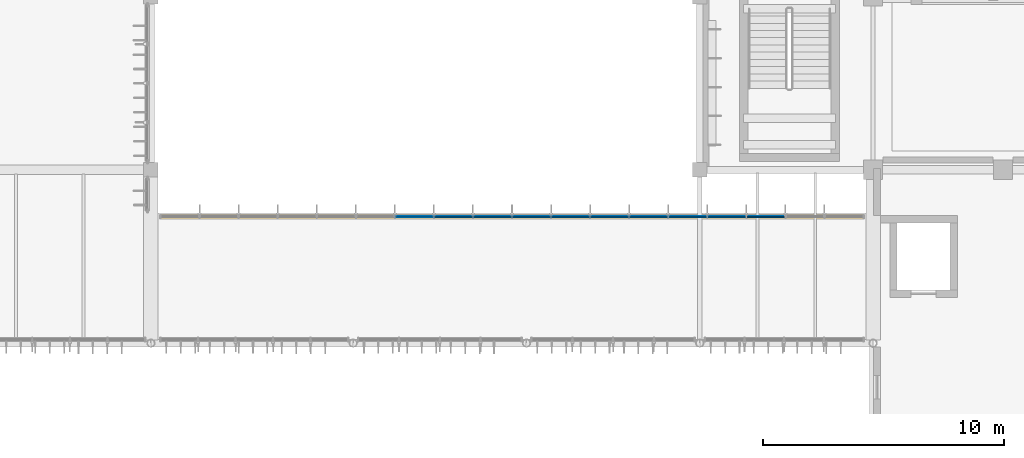
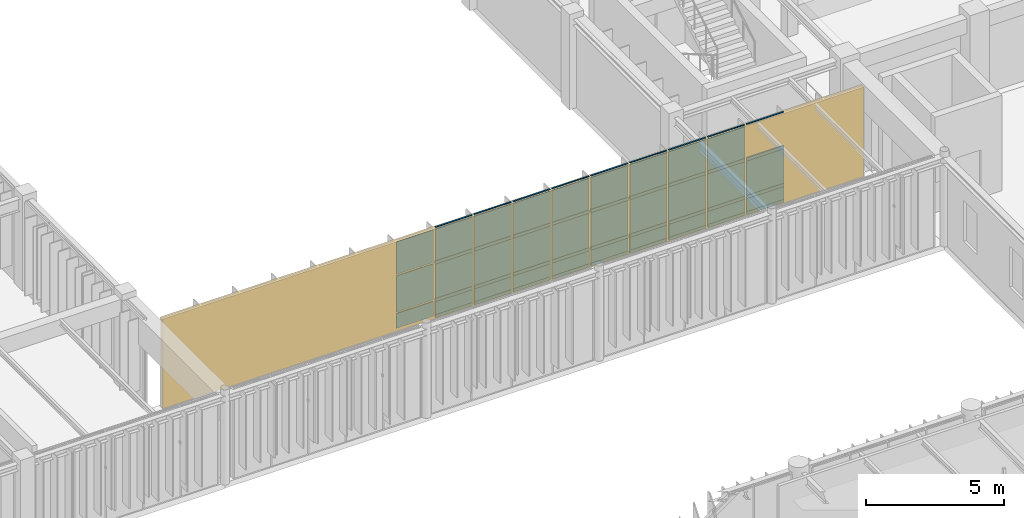
# One storey, part 78 of 122: 36 members, 29 plates, plus 1 element that does not belong to this part.
"""IFC4 building model written with IfcOpenShell, lengths in metres."""

from ifc_helpers import new_model, si_unit, direction, frame, frame_2d, origin, origin_2d, place, context, subcontext, project, spatial, rectangle, extrude, material, layer, layer_set, material_profile, profile_set, type_object, element, aggregate, save


model = new_model("IFC4")

# Units and contexts
model_context = context("Model", 3, precision=1e-05, world=origin(), true_north=direction((0.0, 1.0)))
body_context = subcontext(model_context, "Body", "Model", "MODEL_VIEW")
ifc_project = project(units=[si_unit("LENGTHUNIT", "METRE"), si_unit("AREAUNIT", "SQUARE_METRE"), si_unit("VOLUMEUNIT", "CUBIC_METRE"), si_unit("PLANEANGLEUNIT", "RADIAN"), si_unit("MASSUNIT", "GRAM", prefix="KILO")], contexts=[model_context])

# Member
ifc_material_1 = material(Name="Anodised Bronze Aluminium 6063-T6", Category="aluminium")
ifc_material_profile = material_profile(ifc_material_1, rectangle(XDim=0.06005859375, YDim=0.139892578125, at=origin_2d()), Name="ALU TRANSOM 60x140")
ifc_profile_set = profile_set([ifc_material_profile], Name="Anodised Bronze Aluminium 6063-T6")
member_type = type_object("IfcMemberType", Name="Curtain-Wall Transom 60x140", PredefinedType="USERDEFINED", material=ifc_profile_set)
site_placement = place(None, origin())
building_placement = place(site_placement, origin())
storey_placement = place(building_placement, frame((0.0, 0.0, 4.800048828125)))
member_1_placement = place(storey_placement, frame((39.390625, 49.85009765625, 0.0400390625), z_axis=(1.0, 0.0, 0.0), x_axis=(0.0, 1.0, 0.0)))
member_1 = element("IfcMember", 1, at=member_1_placement, type_object=member_type, Name="Transom CWT-01 CW-WLNK-N-L01-T08.1", ObjectType="TRANSOM", PredefinedType="USERDEFINED", context=body_context, shape_type="SweptSolid", body=[
    extrude(rectangle(XDim=0.06005859375, YDim=0.139892578125, at=origin_2d()), origin(), (0.0, 0.0, 1.0), 1.55224609375),
])

member_2_placement = place(storey_placement, frame((39.390625, 49.85009765625, 0.75), z_axis=(1.0, 0.0, 0.0), x_axis=(0.0, 1.0, 0.0)))
member_2 = element("IfcMember", 2, at=member_2_placement, type_object=member_type, Name="Transom CWT-01 CW-WLNK-N-L01-T08.2", ObjectType="TRANSOM", PredefinedType="USERDEFINED", context=body_context, shape_type="SweptSolid", body=[
    extrude(rectangle(XDim=0.06005859375, YDim=0.139892578125, at=origin_2d()), origin(), (0.0, 0.0, 1.0), 1.55224609375),
])

member_3_placement = place(storey_placement, frame((39.390625, 49.85009765625, 2.40869140625), z_axis=(1.0, 0.0, 0.0), x_axis=(0.0, 1.0, 0.0)))
member_3 = element("IfcMember", 3, at=member_3_placement, type_object=member_type, Name="Transom CWT-01 CW-WLNK-N-L01-T08.3", ObjectType="TRANSOM", PredefinedType="USERDEFINED", context=body_context, shape_type="SweptSolid", body=[
    extrude(rectangle(XDim=0.06005859375, YDim=0.139892578125, at=origin_2d()), origin(), (0.0, 0.0, 1.0), 1.55224609375),
])

member_4_placement = place(storey_placement, frame((39.390625, 49.85009765625, 3.89990234375), z_axis=(1.0, 0.0, 0.0), x_axis=(0.0, 1.0, 0.0)))
member_4 = element("IfcMember", 4, at=member_4_placement, type_object=member_type, Name="Transom CWT-01 CW-WLNK-N-L01-T08.4", ObjectType="TRANSOM", PredefinedType="USERDEFINED", context=body_context, shape_type="SweptSolid", body=[
    extrude(rectangle(XDim=0.06005859375, YDim=0.139892578125, at=origin_2d()), origin(), (0.0, 0.0, 1.0), 1.55224609375),
])

member_5_placement = place(storey_placement, frame((41.0126953125, 49.85009765625, 0.0400390625), z_axis=(1.0, 0.0, 0.0), x_axis=(0.0, 1.0, 0.0)))
member_5 = element("IfcMember", 5, at=member_5_placement, type_object=member_type, Name="Transom CWT-01 CW-WLNK-N-L01-T09.1", ObjectType="TRANSOM", PredefinedType="USERDEFINED", context=body_context, shape_type="SweptSolid", body=[
    extrude(rectangle(XDim=0.06005859375, YDim=0.139892578125, at=origin_2d()), origin(), (0.0, 0.0, 1.0), 1.55224609375),
])

member_6_placement = place(storey_placement, frame((41.0126953125, 49.85009765625, 0.75), z_axis=(1.0, 0.0, 0.0), x_axis=(0.0, 1.0, 0.0)))
member_6 = element("IfcMember", 6, at=member_6_placement, type_object=member_type, Name="Transom CWT-01 CW-WLNK-N-L01-T09.2", ObjectType="TRANSOM", PredefinedType="USERDEFINED", context=body_context, shape_type="SweptSolid", body=[
    extrude(rectangle(XDim=0.06005859375, YDim=0.139892578125, at=origin_2d()), origin(), (0.0, 0.0, 1.0), 1.55224609375),
])

member_7_placement = place(storey_placement, frame((41.0126953125, 49.85009765625, 2.40869140625), z_axis=(1.0, 0.0, 0.0), x_axis=(0.0, 1.0, 0.0)))
member_7 = element("IfcMember", 7, at=member_7_placement, type_object=member_type, Name="Transom CWT-01 CW-WLNK-N-L01-T09.3", ObjectType="TRANSOM", PredefinedType="USERDEFINED", context=body_context, shape_type="SweptSolid", body=[
    extrude(rectangle(XDim=0.06005859375, YDim=0.139892578125, at=origin_2d()), origin(), (0.0, 0.0, 1.0), 1.55224609375),
])

member_8_placement = place(storey_placement, frame((41.0126953125, 49.85009765625, 3.89990234375), z_axis=(1.0, 0.0, 0.0), x_axis=(0.0, 1.0, 0.0)))
member_8 = element("IfcMember", 8, at=member_8_placement, type_object=member_type, Name="Transom CWT-01 CW-WLNK-N-L01-T09.4", ObjectType="TRANSOM", PredefinedType="USERDEFINED", context=body_context, shape_type="SweptSolid", body=[
    extrude(rectangle(XDim=0.06005859375, YDim=0.139892578125, at=origin_2d()), origin(), (0.0, 0.0, 1.0), 1.55224609375),
])

member_9_placement = place(storey_placement, frame((42.635009765625, 49.85009765625, 0.0400390625), z_axis=(1.0, 0.0, 0.0), x_axis=(0.0, 1.0, 0.0)))
member_9 = element("IfcMember", 9, at=member_9_placement, type_object=member_type, Name="Transom CWT-01 CW-WLNK-N-L01-T10.1", ObjectType="TRANSOM", PredefinedType="USERDEFINED", context=body_context, shape_type="SweptSolid", body=[
    extrude(rectangle(XDim=0.06005859375, YDim=0.139892578125, at=origin_2d()), origin(), (0.0, 0.0, 1.0), 1.55224609375),
])

member_10_placement = place(storey_placement, frame((42.635009765625, 49.85009765625, 0.75), z_axis=(1.0, 0.0, 0.0), x_axis=(0.0, 1.0, 0.0)))
member_10 = element("IfcMember", 10, at=member_10_placement, type_object=member_type, Name="Transom CWT-01 CW-WLNK-N-L01-T10.2", ObjectType="TRANSOM", PredefinedType="USERDEFINED", context=body_context, shape_type="SweptSolid", body=[
    extrude(rectangle(XDim=0.06005859375, YDim=0.139892578125, at=origin_2d()), origin(), (0.0, 0.0, 1.0), 1.55224609375),
])

member_11_placement = place(storey_placement, frame((42.635009765625, 49.85009765625, 2.40869140625), z_axis=(1.0, 0.0, 0.0), x_axis=(0.0, 1.0, 0.0)))
member_11 = element("IfcMember", 11, at=member_11_placement, type_object=member_type, Name="Transom CWT-01 CW-WLNK-N-L01-T10.3", ObjectType="TRANSOM", PredefinedType="USERDEFINED", context=body_context, shape_type="SweptSolid", body=[
    extrude(rectangle(XDim=0.06005859375, YDim=0.139892578125, at=origin_2d()), origin(), (0.0, 0.0, 1.0), 1.55224609375),
])

member_12_placement = place(storey_placement, frame((42.635009765625, 49.85009765625, 3.89990234375), z_axis=(1.0, 0.0, 0.0), x_axis=(0.0, 1.0, 0.0)))
member_12 = element("IfcMember", 12, at=member_12_placement, type_object=member_type, Name="Transom CWT-01 CW-WLNK-N-L01-T10.4", ObjectType="TRANSOM", PredefinedType="USERDEFINED", context=body_context, shape_type="SweptSolid", body=[
    extrude(rectangle(XDim=0.06005859375, YDim=0.139892578125, at=origin_2d()), origin(), (0.0, 0.0, 1.0), 1.55224609375),
])

member_13_placement = place(storey_placement, frame((44.257080078125, 49.85009765625, 0.0400390625), z_axis=(1.0, 0.0, 0.0), x_axis=(0.0, 1.0, 0.0)))
member_13 = element("IfcMember", 13, at=member_13_placement, type_object=member_type, Name="Transom CWT-01 CW-WLNK-N-L01-T11.1", ObjectType="TRANSOM", PredefinedType="USERDEFINED", context=body_context, shape_type="SweptSolid", body=[
    extrude(rectangle(XDim=0.06005859375, YDim=0.139892578125, at=origin_2d()), origin(), (0.0, 0.0, 1.0), 1.55224609375),
])

member_14_placement = place(storey_placement, frame((44.257080078125, 49.85009765625, 0.75), z_axis=(1.0, 0.0, 0.0), x_axis=(0.0, 1.0, 0.0)))
member_14 = element("IfcMember", 14, at=member_14_placement, type_object=member_type, Name="Transom CWT-01 CW-WLNK-N-L01-T11.2", ObjectType="TRANSOM", PredefinedType="USERDEFINED", context=body_context, shape_type="SweptSolid", body=[
    extrude(rectangle(XDim=0.06005859375, YDim=0.139892578125, at=origin_2d()), origin(), (0.0, 0.0, 1.0), 1.55224609375),
])

member_15_placement = place(storey_placement, frame((44.257080078125, 49.85009765625, 2.40869140625), z_axis=(1.0, 0.0, 0.0), x_axis=(0.0, 1.0, 0.0)))
member_15 = element("IfcMember", 15, at=member_15_placement, type_object=member_type, Name="Transom CWT-01 CW-WLNK-N-L01-T11.3", ObjectType="TRANSOM", PredefinedType="USERDEFINED", context=body_context, shape_type="SweptSolid", body=[
    extrude(rectangle(XDim=0.06005859375, YDim=0.139892578125, at=origin_2d()), origin(), (0.0, 0.0, 1.0), 1.55224609375),
])

member_16_placement = place(storey_placement, frame((44.257080078125, 49.85009765625, 3.89990234375), z_axis=(1.0, 0.0, 0.0), x_axis=(0.0, 1.0, 0.0)))
member_16 = element("IfcMember", 16, at=member_16_placement, type_object=member_type, Name="Transom CWT-01 CW-WLNK-N-L01-T11.4", ObjectType="TRANSOM", PredefinedType="USERDEFINED", context=body_context, shape_type="SweptSolid", body=[
    extrude(rectangle(XDim=0.06005859375, YDim=0.139892578125, at=origin_2d()), origin(), (0.0, 0.0, 1.0), 1.55224609375),
])

member_17_placement = place(storey_placement, frame((45.87939453125, 49.85009765625, 0.0400390625), z_axis=(1.0, 0.0, 0.0), x_axis=(0.0, 1.0, 0.0)))
member_17 = element("IfcMember", 17, at=member_17_placement, type_object=member_type, Name="Transom CWT-01 CW-WLNK-N-L01-T12.1", ObjectType="TRANSOM", PredefinedType="USERDEFINED", context=body_context, shape_type="SweptSolid", body=[
    extrude(rectangle(XDim=0.06005859375, YDim=0.139892578125, at=origin_2d()), origin(), (0.0, 0.0, 1.0), 1.55224609375),
])

member_18_placement = place(storey_placement, frame((45.87939453125, 49.85009765625, 0.75), z_axis=(1.0, 0.0, 0.0), x_axis=(0.0, 1.0, 0.0)))
member_18 = element("IfcMember", 18, at=member_18_placement, type_object=member_type, Name="Transom CWT-01 CW-WLNK-N-L01-T12.2", ObjectType="TRANSOM", PredefinedType="USERDEFINED", context=body_context, shape_type="SweptSolid", body=[
    extrude(rectangle(XDim=0.06005859375, YDim=0.139892578125, at=origin_2d()), origin(), (0.0, 0.0, 1.0), 1.55224609375),
])

member_19_placement = place(storey_placement, frame((45.87939453125, 49.85009765625, 2.40869140625), z_axis=(1.0, 0.0, 0.0), x_axis=(0.0, 1.0, 0.0)))
member_19 = element("IfcMember", 19, at=member_19_placement, type_object=member_type, Name="Transom CWT-01 CW-WLNK-N-L01-T12.3", ObjectType="TRANSOM", PredefinedType="USERDEFINED", context=body_context, shape_type="SweptSolid", body=[
    extrude(rectangle(XDim=0.06005859375, YDim=0.139892578125, at=origin_2d()), origin(), (0.0, 0.0, 1.0), 1.55224609375),
])

member_20_placement = place(storey_placement, frame((45.87939453125, 49.85009765625, 3.89990234375), z_axis=(1.0, 0.0, 0.0), x_axis=(0.0, 1.0, 0.0)))
member_20 = element("IfcMember", 20, at=member_20_placement, type_object=member_type, Name="Transom CWT-01 CW-WLNK-N-L01-T12.4", ObjectType="TRANSOM", PredefinedType="USERDEFINED", context=body_context, shape_type="SweptSolid", body=[
    extrude(rectangle(XDim=0.06005859375, YDim=0.139892578125, at=origin_2d()), origin(), (0.0, 0.0, 1.0), 1.55224609375),
])

member_21_placement = place(storey_placement, frame((47.501708984375, 49.85009765625, 0.0400390625), z_axis=(1.0, 0.0, 0.0), x_axis=(0.0, 1.0, 0.0)))
member_21 = element("IfcMember", 21, at=member_21_placement, type_object=member_type, Name="Transom CWT-01 CW-WLNK-N-L01-T13.1", ObjectType="TRANSOM", PredefinedType="USERDEFINED", context=body_context, shape_type="SweptSolid", body=[
    extrude(rectangle(XDim=0.06005859375, YDim=0.139892578125, at=origin_2d()), origin(), (0.0, 0.0, 1.0), 1.55224609375),
])

member_22_placement = place(storey_placement, frame((47.501708984375, 49.85009765625, 0.75), z_axis=(1.0, 0.0, 0.0), x_axis=(0.0, 1.0, 0.0)))
member_22 = element("IfcMember", 22, at=member_22_placement, type_object=member_type, Name="Transom CWT-01 CW-WLNK-N-L01-T13.2", ObjectType="TRANSOM", PredefinedType="USERDEFINED", context=body_context, shape_type="SweptSolid", body=[
    extrude(rectangle(XDim=0.06005859375, YDim=0.139892578125, at=origin_2d()), origin(), (0.0, 0.0, 1.0), 1.55224609375),
])

member_23_placement = place(storey_placement, frame((47.501708984375, 49.85009765625, 2.40869140625), z_axis=(1.0, 0.0, 0.0), x_axis=(0.0, 1.0, 0.0)))
member_23 = element("IfcMember", 23, at=member_23_placement, type_object=member_type, Name="Transom CWT-01 CW-WLNK-N-L01-T13.3", ObjectType="TRANSOM", PredefinedType="USERDEFINED", context=body_context, shape_type="SweptSolid", body=[
    extrude(rectangle(XDim=0.06005859375, YDim=0.139892578125, at=origin_2d()), origin(), (0.0, 0.0, 1.0), 1.55224609375),
])

member_24_placement = place(storey_placement, frame((47.501708984375, 49.85009765625, 3.89990234375), z_axis=(1.0, 0.0, 0.0), x_axis=(0.0, 1.0, 0.0)))
member_24 = element("IfcMember", 24, at=member_24_placement, type_object=member_type, Name="Transom CWT-01 CW-WLNK-N-L01-T13.4", ObjectType="TRANSOM", PredefinedType="USERDEFINED", context=body_context, shape_type="SweptSolid", body=[
    extrude(rectangle(XDim=0.06005859375, YDim=0.139892578125, at=origin_2d()), origin(), (0.0, 0.0, 1.0), 1.55224609375),
])

member_25_placement = place(storey_placement, frame((49.123779296875, 49.85009765625, 0.0400390625), z_axis=(1.0, 0.0, 0.0), x_axis=(0.0, 1.0, 0.0)))
member_25 = element("IfcMember", 25, at=member_25_placement, type_object=member_type, Name="Transom CWT-01 CW-WLNK-N-L01-T14.1", ObjectType="TRANSOM", PredefinedType="USERDEFINED", context=body_context, shape_type="SweptSolid", body=[
    extrude(rectangle(XDim=0.06005859375, YDim=0.139892578125, at=origin_2d()), origin(), (0.0, 0.0, 1.0), 1.55224609375),
])

member_26_placement = place(storey_placement, frame((49.123779296875, 49.85009765625, 0.75), z_axis=(1.0, 0.0, 0.0), x_axis=(0.0, 1.0, 0.0)))
member_26 = element("IfcMember", 26, at=member_26_placement, type_object=member_type, Name="Transom CWT-01 CW-WLNK-N-L01-T14.2", ObjectType="TRANSOM", PredefinedType="USERDEFINED", context=body_context, shape_type="SweptSolid", body=[
    extrude(rectangle(XDim=0.06005859375, YDim=0.139892578125, at=origin_2d()), origin(), (0.0, 0.0, 1.0), 1.55224609375),
])

member_27_placement = place(storey_placement, frame((49.123779296875, 49.85009765625, 2.40869140625), z_axis=(1.0, 0.0, 0.0), x_axis=(0.0, 1.0, 0.0)))
member_27 = element("IfcMember", 27, at=member_27_placement, type_object=member_type, Name="Transom CWT-01 CW-WLNK-N-L01-T14.3", ObjectType="TRANSOM", PredefinedType="USERDEFINED", context=body_context, shape_type="SweptSolid", body=[
    extrude(rectangle(XDim=0.06005859375, YDim=0.139892578125, at=origin_2d()), origin(), (0.0, 0.0, 1.0), 1.55224609375),
])

member_28_placement = place(storey_placement, frame((49.123779296875, 49.85009765625, 3.89990234375), z_axis=(1.0, 0.0, 0.0), x_axis=(0.0, 1.0, 0.0)))
member_28 = element("IfcMember", 28, at=member_28_placement, type_object=member_type, Name="Transom CWT-01 CW-WLNK-N-L01-T14.4", ObjectType="TRANSOM", PredefinedType="USERDEFINED", context=body_context, shape_type="SweptSolid", body=[
    extrude(rectangle(XDim=0.06005859375, YDim=0.139892578125, at=origin_2d()), origin(), (0.0, 0.0, 1.0), 1.55224609375),
])

member_29_placement = place(storey_placement, frame((50.74609375, 49.85009765625, 0.0400390625), z_axis=(1.0, 0.0, 0.0), x_axis=(0.0, 1.0, 0.0)))
member_29 = element("IfcMember", 29, at=member_29_placement, type_object=member_type, Name="Transom CWT-01 CW-WLNK-N-L01-T15.1", ObjectType="TRANSOM", PredefinedType="USERDEFINED", context=body_context, shape_type="SweptSolid", body=[
    extrude(rectangle(XDim=0.06005859375, YDim=0.139892578125, at=origin_2d()), origin(), (0.0, 0.0, 1.0), 1.55224609375),
])

member_30_placement = place(storey_placement, frame((50.74609375, 49.85009765625, 0.75), z_axis=(1.0, 0.0, 0.0), x_axis=(0.0, 1.0, 0.0)))
member_30 = element("IfcMember", 30, at=member_30_placement, type_object=member_type, Name="Transom CWT-01 CW-WLNK-N-L01-T15.2", ObjectType="TRANSOM", PredefinedType="USERDEFINED", context=body_context, shape_type="SweptSolid", body=[
    extrude(rectangle(XDim=0.06005859375, YDim=0.139892578125, at=origin_2d()), origin(), (0.0, 0.0, 1.0), 1.55224609375),
])

member_31_placement = place(storey_placement, frame((50.74609375, 49.85009765625, 2.40869140625), z_axis=(1.0, 0.0, 0.0), x_axis=(0.0, 1.0, 0.0)))
member_31 = element("IfcMember", 31, at=member_31_placement, type_object=member_type, Name="Transom CWT-01 CW-WLNK-N-L01-T15.3", ObjectType="TRANSOM", PredefinedType="USERDEFINED", context=body_context, shape_type="SweptSolid", body=[
    extrude(rectangle(XDim=0.06005859375, YDim=0.139892578125, at=origin_2d()), origin(), (0.0, 0.0, 1.0), 1.55224609375),
])

member_32_placement = place(storey_placement, frame((50.74609375, 49.85009765625, 3.89990234375), z_axis=(1.0, 0.0, 0.0), x_axis=(0.0, 1.0, 0.0)))
member_32 = element("IfcMember", 32, at=member_32_placement, type_object=member_type, Name="Transom CWT-01 CW-WLNK-N-L01-T15.4", ObjectType="TRANSOM", PredefinedType="USERDEFINED", context=body_context, shape_type="SweptSolid", body=[
    extrude(rectangle(XDim=0.06005859375, YDim=0.139892578125, at=origin_2d()), origin(), (0.0, 0.0, 1.0), 1.55224609375),
])

member_33_placement = place(storey_placement, frame((52.368408203125, 49.85009765625, 0.0400390625), z_axis=(1.0, 0.0, 0.0), x_axis=(0.0, 1.0, 0.0)))
member_33 = element("IfcMember", 33, at=member_33_placement, type_object=member_type, Name="Transom CWT-01 CW-WLNK-N-L01-T16.1", ObjectType="TRANSOM", PredefinedType="USERDEFINED", context=body_context, shape_type="SweptSolid", body=[
    extrude(rectangle(XDim=0.06005859375, YDim=0.139892578125, at=origin_2d()), origin(), (0.0, 0.0, 1.0), 1.55224609375),
])

member_34_placement = place(storey_placement, frame((52.368408203125, 49.85009765625, 0.75), z_axis=(1.0, 0.0, 0.0), x_axis=(0.0, 1.0, 0.0)))
member_34 = element("IfcMember", 34, at=member_34_placement, type_object=member_type, Name="Transom CWT-01 CW-WLNK-N-L01-T16.2", ObjectType="TRANSOM", PredefinedType="USERDEFINED", context=body_context, shape_type="SweptSolid", body=[
    extrude(rectangle(XDim=0.06005859375, YDim=0.139892578125, at=origin_2d()), origin(), (0.0, 0.0, 1.0), 1.55224609375),
])

member_35_placement = place(storey_placement, frame((52.368408203125, 49.85009765625, 2.40869140625), z_axis=(1.0, 0.0, 0.0), x_axis=(0.0, 1.0, 0.0)))
member_35 = element("IfcMember", 35, at=member_35_placement, type_object=member_type, Name="Transom CWT-01 CW-WLNK-N-L01-T16.3", ObjectType="TRANSOM", PredefinedType="USERDEFINED", context=body_context, shape_type="SweptSolid", body=[
    extrude(rectangle(XDim=0.06005859375, YDim=0.139892578125, at=origin_2d()), origin(), (0.0, 0.0, 1.0), 1.55224609375),
])

member_36_placement = place(storey_placement, frame((52.368408203125, 49.85009765625, 3.89990234375), z_axis=(1.0, 0.0, 0.0), x_axis=(0.0, 1.0, 0.0)))
member_36 = element("IfcMember", 36, at=member_36_placement, type_object=member_type, Name="Transom CWT-01 CW-WLNK-N-L01-T16.4", ObjectType="TRANSOM", PredefinedType="USERDEFINED", context=body_context, shape_type="SweptSolid", body=[
    extrude(rectangle(XDim=0.06005859375, YDim=0.139892578125, at=origin_2d()), origin(), (0.0, 0.0, 1.0), 1.55224609375),
])

# Plate
ifc_material_2 = material(Name="Insulated Bronze Aluminium Spandrel Panel", Category="aluminium")
ifc_layer_1 = layer(ifc_material_2, 0.050048828125, Name="Insulated Bronze Aluminium Spandrel Panel")
ifc_layer_set_1 = layer_set([ifc_layer_1], Name="Insulated Bronze Aluminium Spandrel Panel")
plate_type_1 = type_object("IfcPlateType", Name="Insulated Anodised Aluminium Spandrel Cassette 50", PredefinedType="CURTAIN_PANEL", material=ifc_layer_set_1)
plate_1_placement = place(storey_placement, frame((38.54443359375, 49.85009765625, 0.070068359375), z_axis=(0.0, 0.0, 1.0), x_axis=(1.0, 0.0, 0.0)))
plate_1 = element("IfcPlate", 37, at=plate_1_placement, type_object=plate_type_1, Name="Curtain Panel CWP-03 CW-WLNK-N-L01-P07.1", PredefinedType="CURTAIN_PANEL", context=body_context, shape_type="SweptSolid", body=[
    extrude(rectangle(XDim=1.55224609375, YDim=0.050048828125, at=origin_2d()), origin(), (0.0, 0.0, 1.0), 0.64990234375),
])

plate_2_placement = place(storey_placement, frame((40.166748046875, 49.85009765625, 0.070068359375), z_axis=(0.0, 0.0, 1.0), x_axis=(1.0, 0.0, 0.0)))
plate_2 = element("IfcPlate", 38, at=plate_2_placement, type_object=plate_type_1, Name="Curtain Panel CWP-03 CW-WLNK-N-L01-P08.1", PredefinedType="CURTAIN_PANEL", context=body_context, shape_type="SweptSolid", body=[
    extrude(rectangle(XDim=1.55224609375, YDim=0.050048828125, at=origin_2d()), origin(), (0.0, 0.0, 1.0), 0.64990234375),
])

plate_3_placement = place(storey_placement, frame((41.788818359375, 49.85009765625, 0.070068359375), z_axis=(0.0, 0.0, 1.0), x_axis=(1.0, 0.0, 0.0)))
plate_3 = element("IfcPlate", 39, at=plate_3_placement, type_object=plate_type_1, Name="Curtain Panel CWP-03 CW-WLNK-N-L01-P09.1", PredefinedType="CURTAIN_PANEL", context=body_context, shape_type="SweptSolid", body=[
    extrude(rectangle(XDim=1.55224609375, YDim=0.050048828125, at=origin_2d()), origin(), (0.0, 0.0, 1.0), 0.64990234375),
])

plate_4_placement = place(storey_placement, frame((43.4111328125, 49.85009765625, 0.070068359375), z_axis=(0.0, 0.0, 1.0), x_axis=(1.0, 0.0, 0.0)))
plate_4 = element("IfcPlate", 40, at=plate_4_placement, type_object=plate_type_1, Name="Curtain Panel CWP-03 CW-WLNK-N-L01-P10.1", PredefinedType="CURTAIN_PANEL", context=body_context, shape_type="SweptSolid", body=[
    extrude(rectangle(XDim=1.55224609375, YDim=0.050048828125, at=origin_2d()), origin(), (0.0, 0.0, 1.0), 0.64990234375),
])

plate_5_placement = place(storey_placement, frame((45.033203125, 49.85009765625, 0.070068359375), z_axis=(0.0, 0.0, 1.0), x_axis=(1.0, 0.0, 0.0)))
plate_5 = element("IfcPlate", 41, at=plate_5_placement, type_object=plate_type_1, Name="Curtain Panel CWP-03 CW-WLNK-N-L01-P11.1", PredefinedType="CURTAIN_PANEL", context=body_context, shape_type="SweptSolid", body=[
    extrude(rectangle(XDim=1.55224609375, YDim=0.050048828125, at=origin_2d()), origin(), (0.0, 0.0, 1.0), 0.64990234375),
])

plate_6_placement = place(storey_placement, frame((46.655517578125, 49.85009765625, 0.070068359375), z_axis=(0.0, 0.0, 1.0), x_axis=(1.0, 0.0, 0.0)))
plate_6 = element("IfcPlate", 42, at=plate_6_placement, type_object=plate_type_1, Name="Curtain Panel CWP-03 CW-WLNK-N-L01-P12.1", PredefinedType="CURTAIN_PANEL", context=body_context, shape_type="SweptSolid", body=[
    extrude(rectangle(XDim=1.55224609375, YDim=0.050048828125, at=origin_2d()), origin(), (0.0, 0.0, 1.0), 0.64990234375),
])

plate_7_placement = place(storey_placement, frame((48.27783203125, 49.85009765625, 0.070068359375), z_axis=(0.0, 0.0, 1.0), x_axis=(1.0, 0.0, 0.0)))
plate_7 = element("IfcPlate", 43, at=plate_7_placement, type_object=plate_type_1, Name="Curtain Panel CWP-03 CW-WLNK-N-L01-P13.1", PredefinedType="CURTAIN_PANEL", context=body_context, shape_type="SweptSolid", body=[
    extrude(rectangle(XDim=1.55224609375, YDim=0.050048828125, at=origin_2d()), origin(), (0.0, 0.0, 1.0), 0.64990234375),
])

plate_8_placement = place(storey_placement, frame((49.89990234375, 49.85009765625, 0.070068359375), z_axis=(0.0, 0.0, 1.0), x_axis=(1.0, 0.0, 0.0)))
plate_8 = element("IfcPlate", 44, at=plate_8_placement, type_object=plate_type_1, Name="Curtain Panel CWP-03 CW-WLNK-N-L01-P14.1", PredefinedType="CURTAIN_PANEL", context=body_context, shape_type="SweptSolid", body=[
    extrude(rectangle(XDim=1.55224609375, YDim=0.050048828125, at=origin_2d()), origin(), (0.0, 0.0, 1.0), 0.64990234375),
])

plate_9_placement = place(storey_placement, frame((51.522216796875, 49.85009765625, 0.070068359375), z_axis=(0.0, 0.0, 1.0), x_axis=(1.0, 0.0, 0.0)))
plate_9 = element("IfcPlate", 45, at=plate_9_placement, type_object=plate_type_1, Name="Curtain Panel CWP-03 CW-WLNK-N-L01-P15.1", PredefinedType="CURTAIN_PANEL", context=body_context, shape_type="SweptSolid", body=[
    extrude(rectangle(XDim=1.55224609375, YDim=0.050048828125, at=origin_2d()), origin(), (0.0, 0.0, 1.0), 0.64990234375),
])

plate_10_placement = place(storey_placement, frame((53.144287109375, 49.85009765625, 0.070068359375), z_axis=(0.0, 0.0, 1.0), x_axis=(1.0, 0.0, 0.0)))
plate_10 = element("IfcPlate", 46, at=plate_10_placement, type_object=plate_type_1, Name="Curtain Panel CWP-03 CW-WLNK-N-L01-P16.1", PredefinedType="CURTAIN_PANEL", context=body_context, shape_type="SweptSolid", body=[
    extrude(rectangle(XDim=1.55224609375, YDim=0.050048828125, at=origin_2d()), origin(), (0.0, 0.0, 1.0), 0.64990234375),
])

ifc_material_3 = material(Name="Solar-Control Tempered Double Glazing", Category="glass")
ifc_layer_2 = layer(ifc_material_3, 0.0380859375, Name="Solar-Control Tempered Double Glazing")
ifc_layer_set_2 = layer_set([ifc_layer_2], Name="Solar-Control Tempered Double Glazing")
plate_type_2 = type_object("IfcPlateType", Name="Solar-Control Vision Glazing Unit 38", PredefinedType="CURTAIN_PANEL", material=ifc_layer_set_2)
plate_11_placement = place(storey_placement, frame((38.54443359375, 49.85009765625, 0.77978515625), z_axis=(0.0, 0.0, 1.0), x_axis=(1.0, 0.0, 0.0)))
plate_11 = element("IfcPlate", 47, at=plate_11_placement, type_object=plate_type_2, Name="Curtain Panel CWP-02 CW-WLNK-N-L01-P07.2", PredefinedType="CURTAIN_PANEL", context=body_context, shape_type="SweptSolid", body=[
    extrude(rectangle(XDim=1.55224609375, YDim=0.0380859375, at=origin_2d()), origin(), (0.0, 0.0, 1.0), 1.598876953125),
])

plate_12_placement = place(storey_placement, frame((38.54443359375, 49.85009765625, 2.438720703125), z_axis=(0.0, 0.0, 1.0), x_axis=(1.0, 0.0, 0.0)))
plate_12 = element("IfcPlate", 48, at=plate_12_placement, type_object=plate_type_2, Name="Curtain Panel CWP-02 CW-WLNK-N-L01-P07.3", PredefinedType="CURTAIN_PANEL", context=body_context, shape_type="SweptSolid", body=[
    extrude(rectangle(XDim=1.55224609375, YDim=0.0380859375, at=origin_2d()), origin(), (0.0, 0.0, 1.0), 1.43115234375),
])

plate_13_placement = place(storey_placement, frame((40.166748046875, 49.85009765625, 0.77978515625), z_axis=(0.0, 0.0, 1.0), x_axis=(1.0, 0.0, 0.0)))
plate_13 = element("IfcPlate", 49, at=plate_13_placement, type_object=plate_type_2, Name="Curtain Panel CWP-02 CW-WLNK-N-L01-P08.2", PredefinedType="CURTAIN_PANEL", context=body_context, shape_type="SweptSolid", body=[
    extrude(rectangle(XDim=1.55224609375, YDim=0.0380859375, at=origin_2d()), origin(), (0.0, 0.0, 1.0), 1.598876953125),
])

plate_14_placement = place(storey_placement, frame((40.166748046875, 49.85009765625, 2.438720703125), z_axis=(0.0, 0.0, 1.0), x_axis=(1.0, 0.0, 0.0)))
plate_14 = element("IfcPlate", 50, at=plate_14_placement, type_object=plate_type_2, Name="Curtain Panel CWP-02 CW-WLNK-N-L01-P08.3", PredefinedType="CURTAIN_PANEL", context=body_context, shape_type="SweptSolid", body=[
    extrude(rectangle(XDim=1.55224609375, YDim=0.0380859375, at=origin_2d()), origin(), (0.0, 0.0, 1.0), 1.43115234375),
])

plate_15_placement = place(storey_placement, frame((41.788818359375, 49.85009765625, 0.77978515625), z_axis=(0.0, 0.0, 1.0), x_axis=(1.0, 0.0, 0.0)))
plate_15 = element("IfcPlate", 51, at=plate_15_placement, type_object=plate_type_2, Name="Curtain Panel CWP-02 CW-WLNK-N-L01-P09.2", PredefinedType="CURTAIN_PANEL", context=body_context, shape_type="SweptSolid", body=[
    extrude(rectangle(XDim=1.55224609375, YDim=0.0380859375, at=origin_2d()), origin(), (0.0, 0.0, 1.0), 1.598876953125),
])

plate_16_placement = place(storey_placement, frame((41.788818359375, 49.85009765625, 2.438720703125), z_axis=(0.0, 0.0, 1.0), x_axis=(1.0, 0.0, 0.0)))
plate_16 = element("IfcPlate", 52, at=plate_16_placement, type_object=plate_type_2, Name="Curtain Panel CWP-02 CW-WLNK-N-L01-P09.3", PredefinedType="CURTAIN_PANEL", context=body_context, shape_type="SweptSolid", body=[
    extrude(rectangle(XDim=1.55224609375, YDim=0.0380859375, at=origin_2d()), origin(), (0.0, 0.0, 1.0), 1.43115234375),
])

plate_17_placement = place(storey_placement, frame((43.4111328125, 49.85009765625, 0.77978515625), z_axis=(0.0, 0.0, 1.0), x_axis=(1.0, 0.0, 0.0)))
plate_17 = element("IfcPlate", 53, at=plate_17_placement, type_object=plate_type_2, Name="Curtain Panel CWP-02 CW-WLNK-N-L01-P10.2", PredefinedType="CURTAIN_PANEL", context=body_context, shape_type="SweptSolid", body=[
    extrude(rectangle(XDim=1.55224609375, YDim=0.0380859375, at=origin_2d()), origin(), (0.0, 0.0, 1.0), 1.598876953125),
])

plate_18_placement = place(storey_placement, frame((43.4111328125, 49.85009765625, 2.438720703125), z_axis=(0.0, 0.0, 1.0), x_axis=(1.0, 0.0, 0.0)))
plate_18 = element("IfcPlate", 54, at=plate_18_placement, type_object=plate_type_2, Name="Curtain Panel CWP-02 CW-WLNK-N-L01-P10.3", PredefinedType="CURTAIN_PANEL", context=body_context, shape_type="SweptSolid", body=[
    extrude(rectangle(XDim=1.55224609375, YDim=0.0380859375, at=origin_2d()), origin(), (0.0, 0.0, 1.0), 1.43115234375),
])

plate_19_placement = place(storey_placement, frame((45.033203125, 49.85009765625, 0.77978515625), z_axis=(0.0, 0.0, 1.0), x_axis=(1.0, 0.0, 0.0)))
plate_19 = element("IfcPlate", 55, at=plate_19_placement, type_object=plate_type_2, Name="Curtain Panel CWP-02 CW-WLNK-N-L01-P11.2", PredefinedType="CURTAIN_PANEL", context=body_context, shape_type="SweptSolid", body=[
    extrude(rectangle(XDim=1.55224609375, YDim=0.0380859375, at=origin_2d()), origin(), (0.0, 0.0, 1.0), 1.598876953125),
])

plate_20_placement = place(storey_placement, frame((45.033203125, 49.85009765625, 2.438720703125), z_axis=(0.0, 0.0, 1.0), x_axis=(1.0, 0.0, 0.0)))
plate_20 = element("IfcPlate", 56, at=plate_20_placement, type_object=plate_type_2, Name="Curtain Panel CWP-02 CW-WLNK-N-L01-P11.3", PredefinedType="CURTAIN_PANEL", context=body_context, shape_type="SweptSolid", body=[
    extrude(rectangle(XDim=1.55224609375, YDim=0.0380859375, at=origin_2d()), origin(), (0.0, 0.0, 1.0), 1.43115234375),
])

plate_21_placement = place(storey_placement, frame((46.655517578125, 49.85009765625, 0.77978515625), z_axis=(0.0, 0.0, 1.0), x_axis=(1.0, 0.0, 0.0)))
plate_21 = element("IfcPlate", 57, at=plate_21_placement, type_object=plate_type_2, Name="Curtain Panel CWP-02 CW-WLNK-N-L01-P12.2", PredefinedType="CURTAIN_PANEL", context=body_context, shape_type="SweptSolid", body=[
    extrude(rectangle(XDim=1.55224609375, YDim=0.0380859375, at=origin_2d()), origin(), (0.0, 0.0, 1.0), 1.598876953125),
])

plate_22_placement = place(storey_placement, frame((46.655517578125, 49.85009765625, 2.438720703125), z_axis=(0.0, 0.0, 1.0), x_axis=(1.0, 0.0, 0.0)))
plate_22 = element("IfcPlate", 58, at=plate_22_placement, type_object=plate_type_2, Name="Curtain Panel CWP-02 CW-WLNK-N-L01-P12.3", PredefinedType="CURTAIN_PANEL", context=body_context, shape_type="SweptSolid", body=[
    extrude(rectangle(XDim=1.55224609375, YDim=0.0380859375, at=origin_2d()), origin(), (0.0, 0.0, 1.0), 1.43115234375),
])

plate_23_placement = place(storey_placement, frame((48.27783203125, 49.85009765625, 0.77978515625), z_axis=(0.0, 0.0, 1.0), x_axis=(1.0, 0.0, 0.0)))
plate_23 = element("IfcPlate", 59, at=plate_23_placement, type_object=plate_type_2, Name="Curtain Panel CWP-02 CW-WLNK-N-L01-P13.2", PredefinedType="CURTAIN_PANEL", context=body_context, shape_type="SweptSolid", body=[
    extrude(rectangle(XDim=1.55224609375, YDim=0.0380859375, at=origin_2d()), origin(), (0.0, 0.0, 1.0), 1.598876953125),
])

plate_24_placement = place(storey_placement, frame((48.27783203125, 49.85009765625, 2.438720703125), z_axis=(0.0, 0.0, 1.0), x_axis=(1.0, 0.0, 0.0)))
plate_24 = element("IfcPlate", 60, at=plate_24_placement, type_object=plate_type_2, Name="Curtain Panel CWP-02 CW-WLNK-N-L01-P13.3", PredefinedType="CURTAIN_PANEL", context=body_context, shape_type="SweptSolid", body=[
    extrude(rectangle(XDim=1.55224609375, YDim=0.0380859375, at=origin_2d()), origin(), (0.0, 0.0, 1.0), 1.43115234375),
])

plate_25_placement = place(storey_placement, frame((49.89990234375, 49.85009765625, 0.77978515625), z_axis=(0.0, 0.0, 1.0), x_axis=(1.0, 0.0, 0.0)))
plate_25 = element("IfcPlate", 61, at=plate_25_placement, type_object=plate_type_2, Name="Curtain Panel CWP-02 CW-WLNK-N-L01-P14.2", PredefinedType="CURTAIN_PANEL", context=body_context, shape_type="SweptSolid", body=[
    extrude(rectangle(XDim=1.55224609375, YDim=0.0380859375, at=origin_2d()), origin(), (0.0, 0.0, 1.0), 1.598876953125),
])

plate_26_placement = place(storey_placement, frame((49.89990234375, 49.85009765625, 2.438720703125), z_axis=(0.0, 0.0, 1.0), x_axis=(1.0, 0.0, 0.0)))
plate_26 = element("IfcPlate", 62, at=plate_26_placement, type_object=plate_type_2, Name="Curtain Panel CWP-02 CW-WLNK-N-L01-P14.3", PredefinedType="CURTAIN_PANEL", context=body_context, shape_type="SweptSolid", body=[
    extrude(rectangle(XDim=1.55224609375, YDim=0.0380859375, at=origin_2d()), origin(), (0.0, 0.0, 1.0), 1.43115234375),
])

plate_27_placement = place(storey_placement, frame((51.522216796875, 49.85009765625, 0.77978515625), z_axis=(0.0, 0.0, 1.0), x_axis=(1.0, 0.0, 0.0)))
plate_27 = element("IfcPlate", 63, at=plate_27_placement, type_object=plate_type_2, Name="Curtain Panel CWP-02 CW-WLNK-N-L01-P15.2", PredefinedType="CURTAIN_PANEL", context=body_context, shape_type="SweptSolid", body=[
    extrude(rectangle(XDim=1.55224609375, YDim=0.0380859375, at=origin_2d()), origin(), (0.0, 0.0, 1.0), 1.598876953125),
])

plate_28_placement = place(storey_placement, frame((51.522216796875, 49.85009765625, 2.438720703125), z_axis=(0.0, 0.0, 1.0), x_axis=(1.0, 0.0, 0.0)))
plate_28 = element("IfcPlate", 64, at=plate_28_placement, type_object=plate_type_2, Name="Curtain Panel CWP-02 CW-WLNK-N-L01-P15.3", PredefinedType="CURTAIN_PANEL", context=body_context, shape_type="SweptSolid", body=[
    extrude(rectangle(XDim=1.55224609375, YDim=0.0380859375, at=origin_2d()), origin(), (0.0, 0.0, 1.0), 1.43115234375),
])

plate_29_placement = place(storey_placement, frame((53.144287109375, 49.85009765625, 0.77978515625), z_axis=(0.0, 0.0, 1.0), x_axis=(1.0, 0.0, 0.0)))
plate_29 = element("IfcPlate", 65, at=plate_29_placement, type_object=plate_type_2, Name="Curtain Panel CWP-02 CW-WLNK-N-L01-P16.2", PredefinedType="CURTAIN_PANEL", context=body_context, shape_type="SweptSolid", body=[
    extrude(rectangle(XDim=1.55224609375, YDim=0.0380859375, at=origin_2d()), origin(), (0.0, 0.0, 1.0), 1.598876953125),
])

# Site, building, storey
site = spatial("IfcSite", under=ifc_project, at=site_placement, CompositionType="ELEMENT")
building = spatial("IfcBuilding", under=site, at=building_placement, Name="Tazoul Stagehouse", CompositionType="ELEMENT")
storey = spatial("IfcBuildingStorey", under=building, at=storey_placement, Name="L01", CompositionType="ELEMENT", Elevation=4.800048828125)

# Curtain wall
curtain_wall_type = type_object("IfcCurtainWallType", Name="Atrium Clerestory Glazed Wall", PredefinedType="NOTDEFINED", material=ifc_material_1)
curtain_wall_placement = place(storey_placement, frame((28.0, 49.85009765625, 0.0), z_axis=(0.0, 0.0, 1.0), x_axis=(1.0, 0.0, 0.0)))
curtain_wall = element("IfcCurtainWall", 66, at=curtain_wall_placement, inside=storey, type_object=curtain_wall_type, Name="L01 Curtain Wall CW-05 (CW-WLNK-N-L01)", PredefinedType="NOTDEFINED", context=body_context, shape_type="SweptSolid", body=[
    extrude(rectangle(XDim=29.199951171875, YDim=0.179931640625, at=frame_2d((14.60009765625, 0.0))), origin(), (0.0, 0.0, 1.0), 3.93994140625),
])

aggregate(curtain_wall, [plate_1, plate_11, plate_12, member_1, member_2, member_3, member_4, plate_2, plate_13, plate_14, member_5, member_6, member_7, member_8, plate_3, plate_15, plate_16, member_9, member_10, member_11, member_12, plate_4, plate_17, plate_18, member_13, member_14, member_15, member_16, plate_5, plate_19, plate_20, member_17, member_18, member_19, member_20, plate_6, plate_21, plate_22, member_21, member_22, member_23, member_24, plate_7, plate_23, plate_24, member_25, member_26, member_27, member_28, plate_8, plate_25, plate_26, member_29, member_30, member_31, member_32, plate_9, plate_27, plate_28, member_33, member_34, member_35, member_36, plate_10, plate_29])

save(model, "model.ifc")
